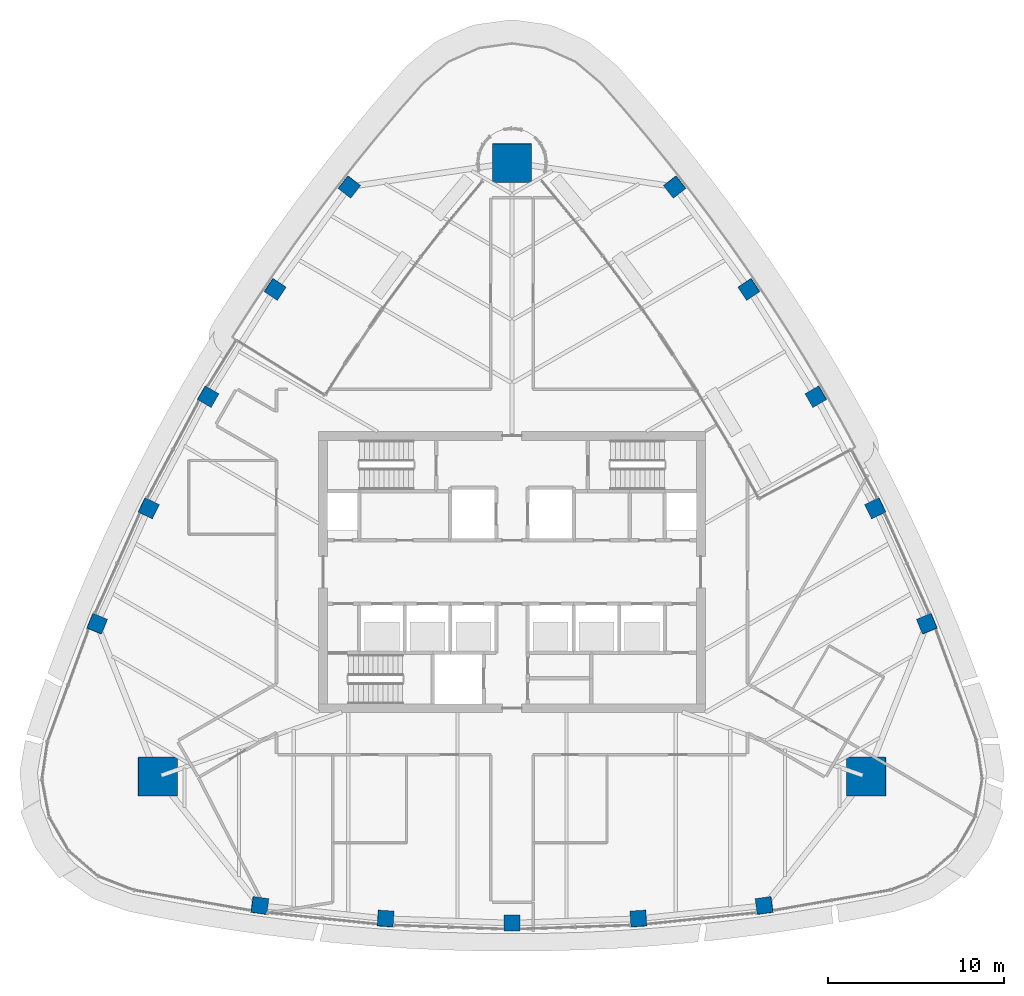
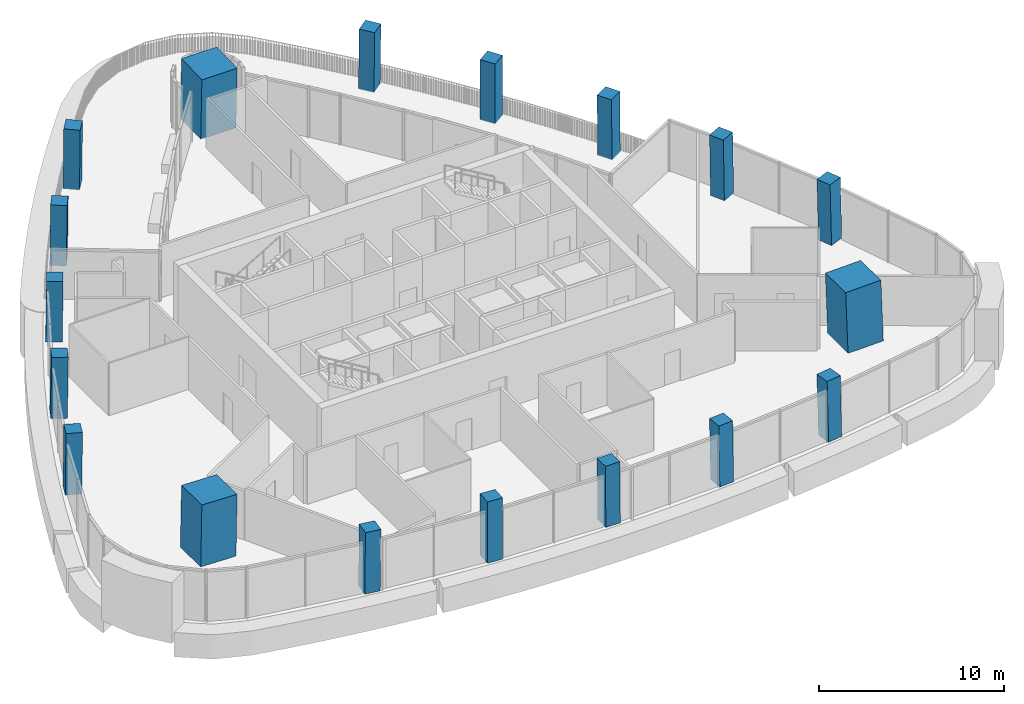
# One storey, part 1 of 18: 18 columns.
"""IFC4 building model written with IfcOpenShell, lengths in metres."""

from ifc_helpers import new_model, si_unit, direction, frame, origin, origin_2d, place, context, subcontext, project, spatial, rectangle, extrude, material, material_profile, profile_set, type_object, element, save


model = new_model("IFC4")

# Units and contexts
model_context = context("Model", 3, precision=1e-05, world=origin(), true_north=direction((0.0, 1.0)))
body_context = subcontext(model_context, "Body", "Model", "MODEL_VIEW")
ifc_project = project(units=[si_unit("LENGTHUNIT", "METRE"), si_unit("AREAUNIT", "SQUARE_METRE"), si_unit("VOLUMEUNIT", "CUBIC_METRE"), si_unit("PLANEANGLEUNIT", "RADIAN"), si_unit("MASSUNIT", "GRAM", prefix="KILO")], contexts=[model_context])

# Site, building, storey
site_placement = place(None, origin())
site = spatial("IfcSite", under=ifc_project, at=site_placement, CompositionType="ELEMENT")
building_placement = place(site_placement, origin())
building = spatial("IfcBuilding", under=site, at=building_placement, Name="Sierra Prisma Convention Tower", CompositionType="ELEMENT")
storey_placement = place(building_placement, frame((0.0, 0.0, 307.0)))
storey = spatial("IfcBuildingStorey", under=building, at=storey_placement, Name="L70", CompositionType="ELEMENT", Elevation=307.0)

# Columns
ifc_material_1 = material(Name="Concrete C50/60", Category="concrete")
ifc_material_profile_1 = material_profile(ifc_material_1, rectangle(XDim=2.199951171875, YDim=2.199951171875, at=origin_2d()), Name="Mega column RC 2200 C50/60")
ifc_profile_set_1 = profile_set([ifc_material_profile_1], Name="Concrete C50/60")
column_type_1 = type_object("IfcColumnType", Name="Mega column RC 2200 C50/60", PredefinedType="COLUMN", material=ifc_profile_set_1)
for number, where, z_axis, x_axis, name in (
    (1, (20.17822265625, -11.64990234375, 0.0), (-0.027695790401, 0.015983033227, 0.999488612163), (0.999616398022, 0.00044283261, 0.027692249912), "Mega column SE L70"),
    (2, (0.0, 23.2998046875, 0.0), (0.0, -0.031966077398, 0.999488954364), (1.0, 0.0, 0.0), "Mega column N L70"),
    (3, (-20.17822265625, -11.64990234375, 0.0), (0.027695790401, 0.015983033227, 0.999488612163), (0.999616398022, -0.00044283261, -0.027692249912), "Mega column SW L70"),
):
    element("IfcColumn", number, at=place(storey_placement, frame(where, z_axis=z_axis, x_axis=x_axis)), inside=storey, type_object=column_type_1, Name=name, PredefinedType="COLUMN", context=body_context, shape_type="SweptSolid", body=[
        extrude(rectangle(XDim=2.199951171875, YDim=2.199951171875, at=origin_2d()), origin(), (0.0, 0.0, 1.0), 4.001953125),
    ])
ifc_material_2 = material(Name="Concrete C50/60", Category="concrete")
ifc_material_profile_2 = material_profile(ifc_material_2, rectangle(XDim=0.89990234375, YDim=0.89990234375, at=origin_2d()), Name="Perimeter column RC 900 C50/60")
ifc_profile_set_2 = profile_set([ifc_material_profile_2], Name="Concrete C50/60")
column_type_2 = type_object("IfcColumnType", Name="Perimeter column RC 900 C50/60", PredefinedType="COLUMN", material=ifc_profile_set_2)
column_1_placement = place(storey_placement, frame((-14.362548828125, -18.981689453125, 0.0), z_axis=(0.017452456582, 0.010373837829, 0.999793876381), x_axis=(-0.990343726518, 0.137723680124, 0.015858476572)))
element("IfcColumn", 4, at=column_1_placement, inside=storey, type_object=column_type_2, Name="Perimeter column S-1 L70", PredefinedType="COLUMN", context=body_context, shape_type="SweptSolid", body=[
    extrude(rectangle(XDim=0.89990234375, YDim=0.89990234375, at=origin_2d()), origin(), (0.0, 0.0, 1.0), 4.000732421875),
])
column_2_placement = place(storey_placement, frame((-7.198486328125, -19.725830078125, 0.0), z_axis=(0.008727150594, 0.011168311599, 0.999899547784), x_axis=(-0.997582824169, 0.069032824425, 0.007935872619)))
element("IfcColumn", 5, at=column_2_placement, inside=storey, type_object=column_type_2, Name="Perimeter column S-2 L70", PredefinedType="COLUMN", context=body_context, shape_type="SweptSolid", body=[
    extrude(rectangle(XDim=0.89990234375, YDim=0.89990234375, at=origin_2d()), origin(), (0.0, 0.0, 1.0), 4.00048828125),
])
column_3_placement = place(storey_placement, frame((0.0, -19.974365234375, 0.0), z_axis=(0.0, 0.01141283087, 0.999934871525), x_axis=(1.0, 0.0, 0.0)))
element("IfcColumn", 6, at=column_3_placement, inside=storey, type_object=column_type_2, Name="Perimeter column S-3 L70", PredefinedType="COLUMN", context=body_context, shape_type="SweptSolid", body=[
    extrude(rectangle(XDim=0.89990234375, YDim=0.89990234375, at=origin_2d()), origin(), (0.0, 0.0, 1.0), 4.000244140625),
])
column_4_placement = place(storey_placement, frame((7.198486328125, -19.725830078125, 0.0), z_axis=(-0.008727150594, 0.011168311599, 0.999899547784), x_axis=(0.997582824169, 0.069032824425, 0.007935872619)))
element("IfcColumn", 7, at=column_4_placement, inside=storey, type_object=column_type_2, Name="Perimeter column S-4 L70", PredefinedType="COLUMN", context=body_context, shape_type="SweptSolid", body=[
    extrude(rectangle(XDim=0.89990234375, YDim=0.89990234375, at=origin_2d()), origin(), (0.0, 0.0, 1.0), 4.00048828125),
])
for number, where, z_axis, x_axis, name in (
    (8, (14.362548828125, -18.981689453125, 0.0), (-0.017452456582, 0.010373837829, 0.999793876381), (0.990343726518, 0.137723680124, 0.015858476572), "Perimeter column S-5 L70"),
    (9, (23.6201171875, -2.947509765625, 0.0), (-0.017696547774, 0.0099466803, 0.999793926641), (-0.376065101315, 0.926457269165, -0.015873499405), "Perimeter column NE-1 L70"),
):
    element("IfcColumn", number, at=place(storey_placement, frame(where, z_axis=z_axis, x_axis=x_axis)), inside=storey, type_object=column_type_2, Name=name, PredefinedType="COLUMN", context=body_context, shape_type="SweptSolid", body=[
        extrude(rectangle(XDim=0.89990234375, YDim=0.89990234375, at=origin_2d()), origin(), (0.0, 0.0, 1.0), 4.000732421875),
    ])
column_5_placement = place(storey_placement, frame((20.682373046875, 3.62890625, 0.0), z_axis=(-0.014036674448, 0.002013957638, 0.999899452818), x_axis=(-0.439063455836, 0.898420675548, -0.007973173653)))
element("IfcColumn", 10, at=column_5_placement, inside=storey, type_object=column_type_2, Name="Perimeter column NE-2 L70", PredefinedType="COLUMN", context=body_context, shape_type="SweptSolid", body=[
    extrude(rectangle(XDim=0.89990234375, YDim=0.89990234375, at=origin_2d()), origin(), (0.0, 0.0, 1.0), 4.00048828125),
])
column_6_placement = place(storey_placement, frame((17.298095703125, 9.987060546875, 0.0), z_axis=(-0.009887052741, -0.005675900648, 0.999935013058), x_axis=(-0.49997556095, 0.866039512773, -2.7732311e-05)))
element("IfcColumn", 11, at=column_6_placement, inside=storey, type_object=column_type_2, Name="Perimeter column NE-3 L70", PredefinedType="COLUMN", context=body_context, shape_type="SweptSolid", body=[
    extrude(rectangle(XDim=0.89990234375, YDim=0.89990234375, at=origin_2d()), origin(), (0.0, 0.0, 1.0), 4.000244140625),
])
column_7_placement = place(storey_placement, frame((13.48388671875, 16.096923828125, 0.0), z_axis=(-0.005309522349, -0.013182262383, 0.999899013366), x_axis=(-0.558506227093, 0.829462042493, 0.007969589808)))
element("IfcColumn", 12, at=column_7_placement, inside=storey, type_object=column_type_2, Name="Perimeter column NE-4 L70", PredefinedType="COLUMN", context=body_context, shape_type="SweptSolid", body=[
    extrude(rectangle(XDim=0.89990234375, YDim=0.89990234375, at=origin_2d()), origin(), (0.0, 0.0, 1.0), 4.00048828125),
])
for number, where, z_axis, x_axis, name in (
    (13, (9.25732421875, 21.92919921875, 0.0), (-0.000244090509, -0.020259512254, 0.999794725223), (-0.614370565315, 0.788858704403, 0.015835181128), "Perimeter column NE-5 L70"),
    (14, (-9.25732421875, 21.92919921875, 0.0), (0.000244090509, -0.020259512254, 0.999794725223), (0.614370565315, 0.788858704403, 0.015835181128), "Perimeter column NW-1 L70"),
):
    element("IfcColumn", number, at=place(storey_placement, frame(where, z_axis=z_axis, x_axis=x_axis)), inside=storey, type_object=column_type_2, Name=name, PredefinedType="COLUMN", context=body_context, shape_type="SweptSolid", body=[
        extrude(rectangle(XDim=0.89990234375, YDim=0.89990234375, at=origin_2d()), origin(), (0.0, 0.0, 1.0), 4.000732421875),
    ])
column_8_placement = place(storey_placement, frame((-13.48388671875, 16.096923828125, 0.0), z_axis=(0.005309522349, -0.013182262383, 0.999899013366), x_axis=(0.558506227093, 0.829462042493, 0.007969589808)))
element("IfcColumn", 15, at=column_8_placement, inside=storey, type_object=column_type_2, Name="Perimeter column NW-2 L70", PredefinedType="COLUMN", context=body_context, shape_type="SweptSolid", body=[
    extrude(rectangle(XDim=0.89990234375, YDim=0.89990234375, at=origin_2d()), origin(), (0.0, 0.0, 1.0), 4.00048828125),
])
column_9_placement = place(storey_placement, frame((-17.298095703125, 9.987060546875, 0.0), z_axis=(0.009887052741, -0.005675900648, 0.999935013058), x_axis=(0.49997556095, 0.866039512773, -2.7732311e-05)))
element("IfcColumn", 16, at=column_9_placement, inside=storey, type_object=column_type_2, Name="Perimeter column NW-3 L70", PredefinedType="COLUMN", context=body_context, shape_type="SweptSolid", body=[
    extrude(rectangle(XDim=0.89990234375, YDim=0.89990234375, at=origin_2d()), origin(), (0.0, 0.0, 1.0), 4.000244140625),
])
column_10_placement = place(storey_placement, frame((-20.682373046875, 3.62890625, 0.0), z_axis=(0.014036674448, 0.002013957638, 0.999899452818), x_axis=(0.439063455836, 0.898420675548, -0.007973173653)))
element("IfcColumn", 17, at=column_10_placement, inside=storey, type_object=column_type_2, Name="Perimeter column NW-4 L70", PredefinedType="COLUMN", context=body_context, shape_type="SweptSolid", body=[
    extrude(rectangle(XDim=0.89990234375, YDim=0.89990234375, at=origin_2d()), origin(), (0.0, 0.0, 1.0), 4.00048828125),
])
column_11_placement = place(storey_placement, frame((-23.6201171875, -2.947509765625, 0.0), z_axis=(0.017696547774, 0.0099466803, 0.999793926641), x_axis=(0.376065101315, 0.926457269165, -0.015873499405)))
element("IfcColumn", 18, at=column_11_placement, inside=storey, type_object=column_type_2, Name="Perimeter column NW-5 L70", PredefinedType="COLUMN", context=body_context, shape_type="SweptSolid", body=[
    extrude(rectangle(XDim=0.89990234375, YDim=0.89990234375, at=origin_2d()), origin(), (0.0, 0.0, 1.0), 4.000732421875),
])

save(model, "model.ifc")
